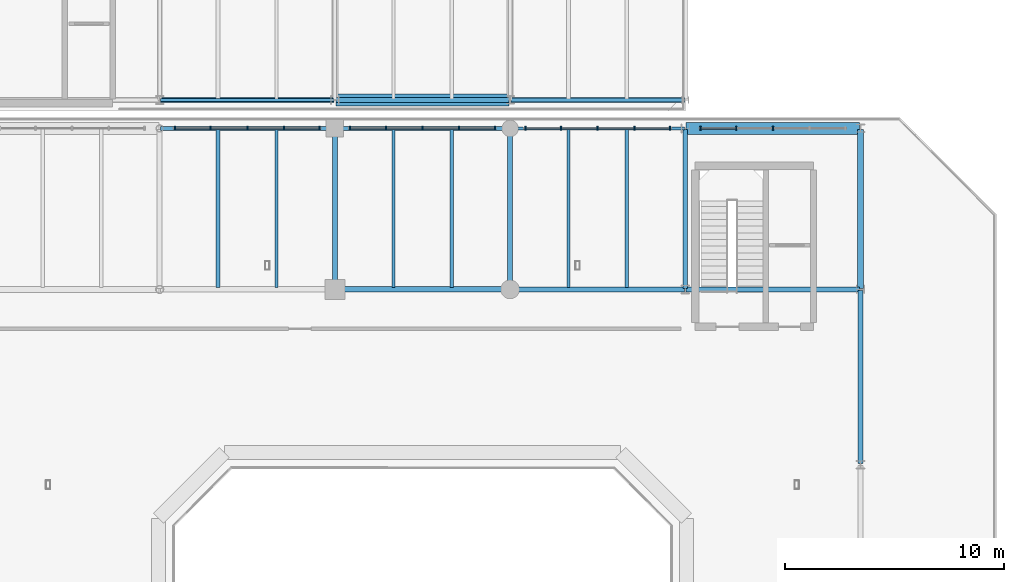
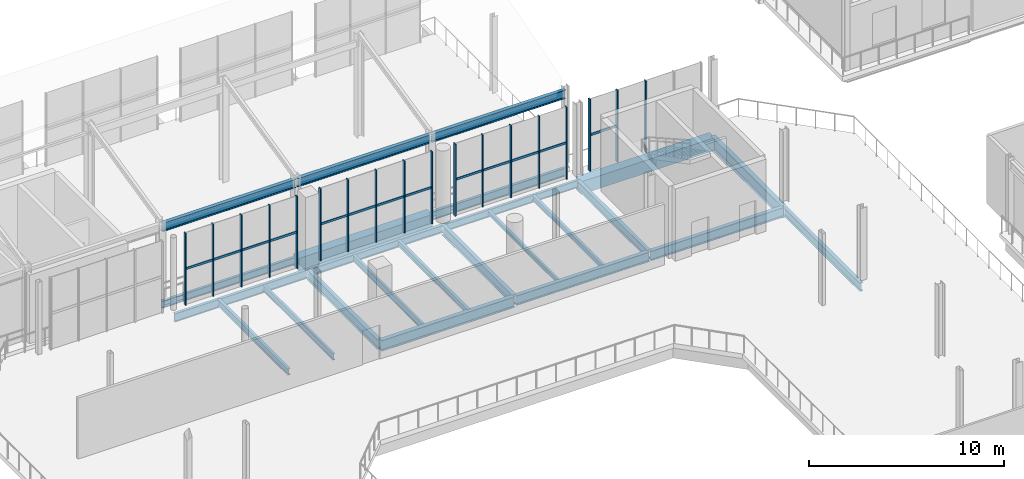
# One storey, part 33 of 70: 31 members, 24 beams, 4 elements without a shape of their own.
"""IFC4 building model written with IfcOpenShell, lengths in metres."""

from ifc_helpers import new_model, si_unit, direction, frame, origin, origin_2d, place, context, subcontext, project, spatial, rectangle, i_section, extrude, material, material_profile, profile_set, type_object, element, aggregate, save


model = new_model("IFC4")

# Units and contexts
model_context = context("Model", 3, precision=1e-05, world=origin(), true_north=direction((0.0, 1.0)))
body_context = subcontext(model_context, "Body", "Model", "MODEL_VIEW")
ifc_project = project(units=[si_unit("LENGTHUNIT", "METRE"), si_unit("AREAUNIT", "SQUARE_METRE"), si_unit("VOLUMEUNIT", "CUBIC_METRE"), si_unit("PLANEANGLEUNIT", "RADIAN"), si_unit("MASSUNIT", "GRAM", prefix="KILO")], contexts=[model_context])

# Site, building, storey
site_placement = place(None, origin())
site = spatial("IfcSite", under=ifc_project, at=site_placement, CompositionType="ELEMENT")
building_placement = place(site_placement, origin())
building = spatial("IfcBuilding", under=site, at=building_placement, Name="Brisemont Oceanarium", CompositionType="ELEMENT")
storey_placement = place(building_placement, frame((0.0, 0.0, 10.199951171875)))
storey = spatial("IfcBuildingStorey", under=building, at=storey_placement, Name="L02", CompositionType="ELEMENT", Elevation=10.199951171875)

# Beams
ifc_material_1 = material(Name="Concrete C40/50", Category="concrete")
ifc_material_profile_1 = material_profile(ifc_material_1, rectangle(XDim=0.550048828125, YDim=0.800048828125, at=origin_2d()), Name="RC-BM-550X800")
ifc_profile_set_1 = profile_set([ifc_material_profile_1], Name="Concrete C40/50")
beam_type_1 = type_object("IfcBeamType", Name="BM-RC550X800", PredefinedType="SPANDREL", material=ifc_profile_set_1)
for number, where, z_axis, x_axis, name in (
    (1, (96.0400390625, 79.35009765625, -0.699951171875), (1.0, 0.0, 0.0), (0.0, 1.0, 0.0), "V1 L02 EW girder"),
    (2, (80.0400390625, 80.64990234375, -0.699951171875), (1.0, 0.0, 0.0), (0.0, 1.0, 0.0), "V7E L02 EW girder"),
):
    element("IfcBeam", number, at=place(storey_placement, frame(where, z_axis=z_axis, x_axis=x_axis)), inside=storey, type_object=beam_type_1, Name=name, PredefinedType="SPANDREL", context=body_context, shape_type="SweptSolid", body=[
        extrude(rectangle(XDim=0.550048828125, YDim=0.800048828125, at=origin_2d()), origin(), (0.0, 0.0, 1.0), 7.919921875),
    ])
ifc_material_2 = material(Name="Structural Steel ASTM A992 Gr.50", Category="steel")
ifc_material_profile_2 = material_profile(ifc_material_2, i_section(OverallWidth=0.14599609375, OverallDepth=0.259033203125, WebThickness=0.006103515625, FlangeThickness=0.009033203125, FilletRadius=0.008056640625, at=origin_2d()), Name="W10X22")
ifc_profile_set_2 = profile_set([ifc_material_profile_2], Name="Structural Steel ASTM A992 Gr.50")
beam_type_2 = type_object("IfcBeamType", Name="BM-W10X22", PredefinedType="LINTEL", material=ifc_profile_set_2)
beam_1_placement = place(storey_placement, frame((90.666748046875, 72.090087890625, -0.429443359375), z_axis=(0.0, 1.0, 0.0), x_axis=(-1.0, 0.0, 0.0)))
element("IfcBeam", 3, at=beam_1_placement, inside=storey, type_object=beam_type_2, Name="V1 L02 secondary floor beam", PredefinedType="LINTEL", context=body_context, shape_type="SweptSolid", body=[
    extrude(i_section(OverallWidth=0.14599609375, OverallDepth=0.259033203125, WebThickness=0.006103515625, FlangeThickness=0.009033203125, FilletRadius=0.008056640625, at=origin_2d()), origin(), (0.0, 0.0, 1.0), 7.219970703125),
])
ifc_material_3 = material(Name="Structural Steel ASTM A992 Gr.50", Category="steel")
ifc_material_profile_3 = material_profile(ifc_material_3, i_section(OverallWidth=0.1650390625, OverallDepth=0.31005859375, WebThickness=0.005859375, FlangeThickness=0.009765625, FilletRadius=0.008056640625, at=origin_2d()), Name="W12X26")
ifc_profile_set_3 = profile_set([ifc_material_profile_3], Name="Structural Steel ASTM A992 Gr.50")
beam_type_3 = type_object("IfcBeamType", Name="BM-W12X26", PredefinedType="JOIST", material=ifc_profile_set_3)
beam_2_placement = place(storey_placement, frame((93.333251953125, 72.090087890625, -0.454833984375), z_axis=(0.0, 1.0, 0.0), x_axis=(-1.0, 0.0, 0.0)))
element("IfcBeam", 4, at=beam_2_placement, inside=storey, type_object=beam_type_3, Name="V1 L02 secondary floor beam", PredefinedType="JOIST", context=body_context, shape_type="SweptSolid", body=[
    extrude(i_section(OverallWidth=0.1650390625, OverallDepth=0.31005859375, WebThickness=0.005859375, FlangeThickness=0.009765625, FilletRadius=0.008056640625, at=origin_2d()), origin(), (0.0, 0.0, 1.0), 7.219970703125),
])
ifc_material_4 = material(Name="Structural Steel ASTM A992 Gr.50", Category="steel")
ifc_material_profile_4 = material_profile(ifc_material_4, i_section(OverallWidth=0.1708984375, OverallDepth=0.35107421875, WebThickness=0.0068359375, FlangeThickness=0.009765625, FilletRadius=0.010009765625, at=origin_2d()), Name="W14X30")
ifc_profile_set_4 = profile_set([ifc_material_profile_4], Name="Structural Steel ASTM A992 Gr.50")
beam_type_4 = type_object("IfcBeamType", Name="BM-W14X30", PredefinedType="JOIST", material=ifc_profile_set_4)
beam_3_placement = place(storey_placement, frame((85.333251953125, 72.090087890625, -0.475341796875), z_axis=(0.0, 1.0, 0.0), x_axis=(-1.0, 0.0, 0.0)))
element("IfcBeam", 5, at=beam_3_placement, inside=storey, type_object=beam_type_4, Name="V1 L02 secondary floor beam", PredefinedType="JOIST", context=body_context, shape_type="SweptSolid", body=[
    extrude(i_section(OverallWidth=0.1708984375, OverallDepth=0.35107421875, WebThickness=0.0068359375, FlangeThickness=0.009765625, FilletRadius=0.010009765625, at=origin_2d()), origin(), (0.0, 0.0, 1.0), 7.219970703125),
])
ifc_material_5 = material(Name="Structural Steel ASTM A992 Gr.50", Category="steel")
ifc_material_profile_5 = material_profile(ifc_material_5, i_section(OverallWidth=0.139892578125, OverallDepth=0.39892578125, WebThickness=0.00634765625, FlangeThickness=0.0087890625, FilletRadius=0.010009765625, at=origin_2d()), Name="W16X26")
ifc_profile_set_5 = profile_set([ifc_material_profile_5], Name="Structural Steel ASTM A992 Gr.50")
beam_type_5 = type_object("IfcBeamType", Name="BM-W16X26", PredefinedType="JOIST", material=ifc_profile_set_5)
for number, where, z_axis, x_axis, name in (
    (6, (77.333251953125, 72.090087890625, -0.49951171875), (0.0, 1.0, 0.0), (-1.0, 0.0, 0.0), "V1 L02 secondary floor beam"),
    (7, (82.666748046875, 72.090087890625, -0.49951171875), (0.0, 1.0, 0.0), (-1.0, 0.0, 0.0), "V1 L02 secondary floor beam"),
):
    element("IfcBeam", number, at=place(storey_placement, frame(where, z_axis=z_axis, x_axis=x_axis)), inside=storey, type_object=beam_type_5, Name=name, PredefinedType="JOIST", context=body_context, shape_type="SweptSolid", body=[
        extrude(i_section(OverallWidth=0.139892578125, OverallDepth=0.39892578125, WebThickness=0.00634765625, FlangeThickness=0.0087890625, FilletRadius=0.010009765625, at=origin_2d()), origin(), (0.0, 0.0, 1.0), 7.219970703125),
    ])
ifc_material_6 = material(Name="Structural Steel ASTM A992 Gr.50", Category="steel")
ifc_material_profile_6 = material_profile(ifc_material_6, i_section(OverallWidth=0.177978515625, OverallDepth=0.404052734375, WebThickness=0.007568359375, FlangeThickness=0.010986328125, FilletRadius=0.010009765625, at=origin_2d()), Name="W16X36")
ifc_profile_set_6 = profile_set([ifc_material_profile_6], Name="Structural Steel ASTM A992 Gr.50")
beam_type_6 = type_object("IfcBeamType", Name="BM-W16X36", PredefinedType="JOIST", material=ifc_profile_set_6)
beam_4_placement = place(storey_placement, frame((74.666748046875, 72.090087890625, -0.501953125), z_axis=(0.0, 1.0, 0.0), x_axis=(-1.0, 0.0, 0.0)))
element("IfcBeam", 8, at=beam_4_placement, inside=storey, type_object=beam_type_6, Name="V1 L02 secondary floor beam", PredefinedType="JOIST", context=body_context, shape_type="SweptSolid", body=[
    extrude(i_section(OverallWidth=0.177978515625, OverallDepth=0.404052734375, WebThickness=0.007568359375, FlangeThickness=0.010986328125, FilletRadius=0.010009765625, at=origin_2d()), origin(), (0.0, 0.0, 1.0), 7.219970703125),
])
ifc_material_7 = material(Name="Structural Steel ASTM A992 Gr.50", Category="steel")
ifc_material_profile_7 = material_profile(ifc_material_7, i_section(OverallWidth=0.154052734375, OverallDepth=0.458984375, WebThickness=0.009033203125, FlangeThickness=0.015380859375, FilletRadius=0.010986328125, at=origin_2d()), Name="W18X46")
ifc_profile_set_7 = profile_set([ifc_material_profile_7], Name="Structural Steel ASTM A992 Gr.50")
beam_type_7 = type_object("IfcBeamType", Name="BM-W18X46", PredefinedType="SPANDREL", material=ifc_profile_set_7)
for number, where, z_axis, x_axis, name in (
    (9, (88.0400390625, 79.35009765625, -0.529541015625), (1.0, 0.0, 0.0), (0.0, 1.0, 0.0), "V1 L02 EW girder"),
    (10, (72.0400390625, 80.64990234375, -0.529541015625), (1.0, 0.0, 0.0), (0.0, 1.0, 0.0), "V7E L02 EW girder"),
):
    element("IfcBeam", number, at=place(storey_placement, frame(where, z_axis=z_axis, x_axis=x_axis)), inside=storey, type_object=beam_type_7, Name=name, PredefinedType="SPANDREL", context=body_context, shape_type="SweptSolid", body=[
        extrude(i_section(OverallWidth=0.154052734375, OverallDepth=0.458984375, WebThickness=0.009033203125, FlangeThickness=0.015380859375, FilletRadius=0.010986328125, at=origin_2d()), origin(), (0.0, 0.0, 1.0), 7.919921875),
    ])
ifc_material_8 = material(Name="Structural Steel ASTM A992 Gr.50", Category="steel")
ifc_material_profile_8 = material_profile(ifc_material_8, i_section(OverallWidth=0.19091796875, OverallDepth=0.4599609375, WebThickness=0.010009765625, FlangeThickness=0.01611328125, FilletRadius=0.010986328125, at=origin_2d()), Name="W18X55")
ifc_profile_set_8 = profile_set([ifc_material_profile_8], Name="Structural Steel ASTM A992 Gr.50")
beam_type_8 = type_object("IfcBeamType", Name="BM-W18X55", PredefinedType="SPANDREL", material=ifc_profile_set_8)
beam_5_placement = place(storey_placement, frame((80.0400390625, 79.35009765625, -0.530029296875), z_axis=(1.0, 0.0, 0.0), x_axis=(0.0, 1.0, 0.0)))
element("IfcBeam", 11, at=beam_5_placement, inside=storey, type_object=beam_type_8, Name="V1 L02 EW girder", PredefinedType="SPANDREL", context=body_context, shape_type="SweptSolid", body=[
    extrude(i_section(OverallWidth=0.19091796875, OverallDepth=0.4599609375, WebThickness=0.010009765625, FlangeThickness=0.01611328125, FilletRadius=0.010986328125, at=origin_2d()), origin(), (0.0, 0.0, 1.0), 7.919921875),
])
ifc_material_9 = material(Name="Structural Steel ASTM A992 Gr.50", Category="steel")
ifc_material_profile_9 = material_profile(ifc_material_9, i_section(OverallWidth=0.166015625, OverallDepth=0.528076171875, WebThickness=0.009765625, FlangeThickness=0.013671875, FilletRadius=0.012939453125, at=origin_2d()), Name="W21X50")
ifc_profile_set_9 = profile_set([ifc_material_profile_9], Name="Structural Steel ASTM A992 Gr.50")
beam_type_9 = type_object("IfcBeamType", Name="BM-W21X50", PredefinedType="SPANDREL", material=ifc_profile_set_9)
for number, where, z_axis, x_axis, name in (
    (12, (72.0400390625, 79.35009765625, -0.56396484375), (1.0, 0.0, 0.0), (0.0, 1.0, 0.0), "V1 L02 EW girder"),
    (13, (88.0400390625, 80.64990234375, -0.56396484375), (1.0, 0.0, 0.0), (0.0, 1.0, 0.0), "V7E L02 EW girder"),
):
    element("IfcBeam", number, at=place(storey_placement, frame(where, z_axis=z_axis, x_axis=x_axis)), inside=storey, type_object=beam_type_9, Name=name, PredefinedType="SPANDREL", context=body_context, shape_type="SweptSolid", body=[
        extrude(i_section(OverallWidth=0.166015625, OverallDepth=0.528076171875, WebThickness=0.009765625, FlangeThickness=0.013671875, FilletRadius=0.012939453125, at=origin_2d()), origin(), (0.0, 0.0, 1.0), 7.919921875),
    ])
ifc_material_10 = material(Name="Structural Steel ASTM A992 Gr.50", Category="steel")
ifc_material_profile_10 = material_profile(ifc_material_10, i_section(OverallWidth=0.2099609375, OverallDepth=0.532958984375, WebThickness=0.01025390625, FlangeThickness=0.015625, FilletRadius=0.012939453125, at=origin_2d()), Name="W21X62")
ifc_profile_set_10 = profile_set([ifc_material_profile_10], Name="Structural Steel ASTM A992 Gr.50")
beam_type_10 = type_object("IfcBeamType", Name="BM-W21X62", PredefinedType="BEAM", material=ifc_profile_set_10)
beam_6_placement = place(storey_placement, frame((96.0, 72.0400390625, -0.56640625), z_axis=(0.0, 1.0, 0.0), x_axis=(-1.0, 0.0, 0.0)))
element("IfcBeam", 14, at=beam_6_placement, inside=storey, type_object=beam_type_10, Name="V1 L02 NS girder", PredefinedType="BEAM", context=body_context, shape_type="SweptSolid", body=[
    extrude(i_section(OverallWidth=0.2099609375, OverallDepth=0.532958984375, WebThickness=0.01025390625, FlangeThickness=0.015625, FilletRadius=0.012939453125, at=origin_2d()), origin(), (0.0, 0.0, 1.0), 7.27001953125),
])
for number, where, z_axis, x_axis, name in (
    (15, (104.0, 64.0400390625, -0.56640625), (0.0, 1.0, 0.0), (-1.0, 0.0, 0.0), "V1 L02 NS girder"),
    (16, (72.0400390625, 80.64990234375, 4.33349609375), (1.0, 0.0, 0.0), (0.0, 1.0, 0.0), "V7E roof eave girder"),
    (17, (80.0400390625, 80.64990234375, 4.33349609375), (1.0, 0.0, 0.0), (0.0, 1.0, 0.0), "V7E roof eave girder"),
    (18, (88.0400390625, 80.64990234375, 4.33349609375), (1.0, 0.0, 0.0), (0.0, 1.0, 0.0), "V7E roof eave girder"),
):
    element("IfcBeam", number, at=place(storey_placement, frame(where, z_axis=z_axis, x_axis=x_axis)), inside=storey, type_object=beam_type_10, Name=name, PredefinedType="BEAM", context=body_context, shape_type="SweptSolid", body=[
        extrude(i_section(OverallWidth=0.2099609375, OverallDepth=0.532958984375, WebThickness=0.01025390625, FlangeThickness=0.015625, FilletRadius=0.012939453125, at=origin_2d()), origin(), (0.0, 0.0, 1.0), 7.919921875),
    ])
ifc_material_11 = material(Name="Structural Steel ASTM A992 Gr.50", Category="steel")
ifc_material_profile_11 = material_profile(ifc_material_11, i_section(OverallWidth=0.22802734375, OverallDepth=0.60205078125, WebThickness=0.010498046875, FlangeThickness=0.014892578125, FilletRadius=0.012939453125, at=origin_2d()), Name="W24X68")
ifc_profile_set_11 = profile_set([ifc_material_profile_11], Name="Structural Steel ASTM A992 Gr.50")
beam_type_11 = type_object("IfcBeamType", Name="BM-W24X68", PredefinedType="BEAM", material=ifc_profile_set_11)
beam_7_placement = place(storey_placement, frame((88.0, 72.0400390625, -0.600830078125), z_axis=(0.0, 1.0, 0.0), x_axis=(-1.0, 0.0, 0.0)))
element("IfcBeam", 19, at=beam_7_placement, inside=storey, type_object=beam_type_11, Name="V1 L02 NS girder", PredefinedType="BEAM", context=body_context, shape_type="SweptSolid", body=[
    extrude(i_section(OverallWidth=0.22802734375, OverallDepth=0.60205078125, WebThickness=0.010498046875, FlangeThickness=0.014892578125, FilletRadius=0.012939453125, at=origin_2d()), origin(), (0.0, 0.0, 1.0), 7.27001953125),
])
ifc_material_12 = material(Name="Structural Steel ASTM A992 Gr.50", Category="steel")
ifc_material_profile_12 = material_profile(ifc_material_12, i_section(OverallWidth=0.22802734375, OverallDepth=0.60791015625, WebThickness=0.01123046875, FlangeThickness=0.017333984375, FilletRadius=0.012939453125, at=origin_2d()), Name="W24X76")
ifc_profile_set_12 = profile_set([ifc_material_profile_12], Name="Structural Steel ASTM A992 Gr.50")
beam_type_12 = type_object("IfcBeamType", Name="BM-W24X76", PredefinedType="BEAM", material=ifc_profile_set_12)
beam_8_placement = place(storey_placement, frame((96.0400390625, 72.0, -0.60400390625), z_axis=(1.0, 0.0, 0.0), x_axis=(0.0, 1.0, 0.0)))
element("IfcBeam", 20, at=beam_8_placement, inside=storey, type_object=beam_type_12, Name="V1 L02 EW girder", PredefinedType="BEAM", context=body_context, shape_type="SweptSolid", body=[
    extrude(i_section(OverallWidth=0.22802734375, OverallDepth=0.60791015625, WebThickness=0.01123046875, FlangeThickness=0.017333984375, FilletRadius=0.012939453125, at=origin_2d()), origin(), (0.0, 0.0, 1.0), 7.919921875),
])
beam_9_placement = place(storey_placement, frame((80.0, 72.0400390625, -0.60400390625), z_axis=(0.0, 1.0, 0.0), x_axis=(-1.0, 0.0, 0.0)))
element("IfcBeam", 21, at=beam_9_placement, inside=storey, type_object=beam_type_12, Name="V1 L02 NS girder", PredefinedType="BEAM", context=body_context, shape_type="SweptSolid", body=[
    extrude(i_section(OverallWidth=0.22802734375, OverallDepth=0.60791015625, WebThickness=0.01123046875, FlangeThickness=0.017333984375, FilletRadius=0.012939453125, at=origin_2d()), origin(), (0.0, 0.0, 1.0), 7.27001953125),
])
ifc_material_13 = material(Name="Structural Steel ASTM A992 Gr.50", Category="steel")
ifc_material_profile_13 = material_profile(ifc_material_13, i_section(OverallWidth=0.22900390625, OverallDepth=0.612060546875, WebThickness=0.011962890625, FlangeThickness=0.01953125, FilletRadius=0.012939453125, at=origin_2d()), Name="W24X84")
ifc_profile_set_13 = profile_set([ifc_material_profile_13], Name="Structural Steel ASTM A992 Gr.50")
beam_type_13 = type_object("IfcBeamType", Name="BM-W24X84", PredefinedType="BEAM", material=ifc_profile_set_13)
beam_10_placement = place(storey_placement, frame((88.0400390625, 72.0, -0.60595703125), z_axis=(1.0, 0.0, 0.0), x_axis=(0.0, 1.0, 0.0)))
element("IfcBeam", 22, at=beam_10_placement, inside=storey, type_object=beam_type_13, Name="V1 L02 EW girder", PredefinedType="BEAM", context=body_context, shape_type="SweptSolid", body=[
    extrude(i_section(OverallWidth=0.22900390625, OverallDepth=0.612060546875, WebThickness=0.011962890625, FlangeThickness=0.01953125, FilletRadius=0.012939453125, at=origin_2d()), origin(), (0.0, 0.0, 1.0), 7.919921875),
])
ifc_material_14 = material(Name="Structural Steel ASTM A992 Gr.50", Category="steel")
ifc_material_profile_14 = material_profile(ifc_material_14, i_section(OverallWidth=0.2529296875, OverallDepth=0.677978515625, WebThickness=0.01171875, FlangeThickness=0.016357421875, FilletRadius=0.014892578125, at=origin_2d()), Name="W27X84")
ifc_profile_set_14 = profile_set([ifc_material_profile_14], Name="Structural Steel ASTM A992 Gr.50")
beam_type_14 = type_object("IfcBeamType", Name="BM-W27X84", PredefinedType="BEAM", material=ifc_profile_set_14)
beam_11_placement = place(storey_placement, frame((80.0400390625, 72.0, -0.638916015625), z_axis=(1.0, 0.0, 0.0), x_axis=(0.0, 1.0, 0.0)))
element("IfcBeam", 23, at=beam_11_placement, inside=storey, type_object=beam_type_14, Name="V1 L02 EW girder", PredefinedType="BEAM", context=body_context, shape_type="SweptSolid", body=[
    extrude(i_section(OverallWidth=0.2529296875, OverallDepth=0.677978515625, WebThickness=0.01171875, FlangeThickness=0.016357421875, FilletRadius=0.014892578125, at=origin_2d()), origin(), (0.0, 0.0, 1.0), 7.919921875),
])
ifc_material_15 = material(Name="Structural Steel ASTM A992 Gr.50", Category="steel")
ifc_material_profile_15 = material_profile(ifc_material_15, i_section(OverallWidth=0.26708984375, OverallDepth=0.761962890625, WebThickness=0.014404296875, FlangeThickness=0.021484375, FilletRadius=0.01611328125, at=origin_2d()), Name="W30X116")
ifc_profile_set_15 = profile_set([ifc_material_profile_15], Name="Structural Steel ASTM A992 Gr.50")
beam_type_15 = type_object("IfcBeamType", Name="BM-W30X116", PredefinedType="BEAM", material=ifc_profile_set_15)
beam_12_placement = place(storey_placement, frame((104.0, 72.0400390625, -0.680908203125), z_axis=(0.0, 1.0, 0.0), x_axis=(-1.0, 0.0, 0.0)))
element("IfcBeam", 24, at=beam_12_placement, inside=storey, type_object=beam_type_15, Name="V1 L02 NS girder", PredefinedType="BEAM", context=body_context, shape_type="SweptSolid", body=[
    extrude(i_section(OverallWidth=0.26708984375, OverallDepth=0.761962890625, WebThickness=0.014404296875, FlangeThickness=0.021484375, FilletRadius=0.01611328125, at=origin_2d()), origin(), (0.0, 0.0, 1.0), 7.27001953125),
])

# Curtain wall, members
ifc_material_16 = material(Name="Anodized Extruded Aluminum 6063-T6", Category="aluminium")
curtain_wall_type = type_object("IfcCurtainWallType", Name="CW-POR-69X44", PredefinedType="NOTDEFINED", material=ifc_material_16)
curtain_wall_1_placement = place(storey_placement, origin())
curtain_wall_1 = element("IfcCurtainWall", 25, at=curtain_wall_1_placement, inside=storey, type_object=curtain_wall_type, Name="CW-20 curtain wall CW-V1-N-L02-02", PredefinedType="NOTDEFINED")
ifc_material_17 = material(Name="Anodized Extruded Aluminum 6063-T6", Category="aluminium")
ifc_material_profile_16 = material_profile(ifc_material_17, rectangle(XDim=0.06494140625, YDim=0.179931640625, at=origin_2d()), Name="CWM-65X180")
ifc_profile_set_16 = profile_set([ifc_material_profile_16], Name="Anodized Extruded Aluminum 6063-T6")
member_type_1 = type_object("IfcMemberType", Name="MEM-CWM-65", PredefinedType="MULLION", material=ifc_profile_set_16)
member_1_placement = place(storey_placement, frame((72.695068359375, 79.35009765625, 0.0), z_axis=(0.0, 0.0, 1.0), x_axis=(1.0, 0.0, 0.0)))
member_1 = element("IfcMember", 26, at=member_1_placement, type_object=member_type_1, Name="CW-V1-N-L02-02 mullion 1", PredefinedType="MULLION", context=body_context, shape_type="SweptSolid", body=[
    extrude(rectangle(XDim=0.06494140625, YDim=0.179931640625, at=origin_2d()), origin(), (0.0, 0.0, 1.0), 4.52001953125),
])
member_2_placement = place(storey_placement, frame((74.324951171875, 79.35009765625, 0.0), z_axis=(0.0, 0.0, 1.0), x_axis=(1.0, 0.0, 0.0)))
member_2 = element("IfcMember", 27, at=member_2_placement, type_object=member_type_1, Name="CW-V1-N-L02-02 mullion 2", PredefinedType="MULLION", context=body_context, shape_type="SweptSolid", body=[
    extrude(rectangle(XDim=0.06494140625, YDim=0.179931640625, at=origin_2d()), origin(), (0.0, 0.0, 1.0), 4.52001953125),
])
member_3_placement = place(storey_placement, frame((76.0, 79.35009765625, 0.0), z_axis=(0.0, 0.0, 1.0), x_axis=(1.0, 0.0, 0.0)))
member_3 = element("IfcMember", 28, at=member_3_placement, type_object=member_type_1, Name="CW-V1-N-L02-02 mullion 3", PredefinedType="MULLION", context=body_context, shape_type="SweptSolid", body=[
    extrude(rectangle(XDim=0.06494140625, YDim=0.179931640625, at=origin_2d()), origin(), (0.0, 0.0, 1.0), 4.52001953125),
])
member_4_placement = place(storey_placement, frame((77.675048828125, 79.35009765625, 0.0), z_axis=(0.0, 0.0, 1.0), x_axis=(1.0, 0.0, 0.0)))
member_4 = element("IfcMember", 29, at=member_4_placement, type_object=member_type_1, Name="CW-V1-N-L02-02 mullion 4", PredefinedType="MULLION", context=body_context, shape_type="SweptSolid", body=[
    extrude(rectangle(XDim=0.06494140625, YDim=0.179931640625, at=origin_2d()), origin(), (0.0, 0.0, 1.0), 4.52001953125),
])
member_5_placement = place(storey_placement, frame((79.304931640625, 79.35009765625, 0.0), z_axis=(0.0, 0.0, 1.0), x_axis=(1.0, 0.0, 0.0)))
member_5 = element("IfcMember", 30, at=member_5_placement, type_object=member_type_1, Name="CW-V1-N-L02-02 mullion 5", PredefinedType="MULLION", context=body_context, shape_type="SweptSolid", body=[
    extrude(rectangle(XDim=0.06494140625, YDim=0.179931640625, at=origin_2d()), origin(), (0.0, 0.0, 1.0), 4.52001953125),
])

curtain_wall_2_placement = place(storey_placement, origin())
curtain_wall_2 = element("IfcCurtainWall", 31, at=curtain_wall_2_placement, inside=storey, type_object=curtain_wall_type, Name="CW-20 curtain wall CW-V1-N-L02-03", PredefinedType="NOTDEFINED")
member_6_placement = place(storey_placement, frame((80.695068359375, 79.35009765625, 0.0), z_axis=(0.0, 0.0, 1.0), x_axis=(1.0, 0.0, 0.0)))
member_6 = element("IfcMember", 32, at=member_6_placement, type_object=member_type_1, Name="CW-V1-N-L02-03 mullion 1", PredefinedType="MULLION", context=body_context, shape_type="SweptSolid", body=[
    extrude(rectangle(XDim=0.06494140625, YDim=0.179931640625, at=origin_2d()), origin(), (0.0, 0.0, 1.0), 4.52001953125),
])
member_7_placement = place(storey_placement, frame((82.324951171875, 79.35009765625, 0.0), z_axis=(0.0, 0.0, 1.0), x_axis=(1.0, 0.0, 0.0)))
member_7 = element("IfcMember", 33, at=member_7_placement, type_object=member_type_1, Name="CW-V1-N-L02-03 mullion 2", PredefinedType="MULLION", context=body_context, shape_type="SweptSolid", body=[
    extrude(rectangle(XDim=0.06494140625, YDim=0.179931640625, at=origin_2d()), origin(), (0.0, 0.0, 1.0), 4.52001953125),
])
member_8_placement = place(storey_placement, frame((84.0, 79.35009765625, 0.0), z_axis=(0.0, 0.0, 1.0), x_axis=(1.0, 0.0, 0.0)))
member_8 = element("IfcMember", 34, at=member_8_placement, type_object=member_type_1, Name="CW-V1-N-L02-03 mullion 3", PredefinedType="MULLION", context=body_context, shape_type="SweptSolid", body=[
    extrude(rectangle(XDim=0.06494140625, YDim=0.179931640625, at=origin_2d()), origin(), (0.0, 0.0, 1.0), 4.52001953125),
])
member_9_placement = place(storey_placement, frame((85.675048828125, 79.35009765625, 0.0), z_axis=(0.0, 0.0, 1.0), x_axis=(1.0, 0.0, 0.0)))
member_9 = element("IfcMember", 35, at=member_9_placement, type_object=member_type_1, Name="CW-V1-N-L02-03 mullion 4", PredefinedType="MULLION", context=body_context, shape_type="SweptSolid", body=[
    extrude(rectangle(XDim=0.06494140625, YDim=0.179931640625, at=origin_2d()), origin(), (0.0, 0.0, 1.0), 4.52001953125),
])
member_10_placement = place(storey_placement, frame((87.304931640625, 79.35009765625, 0.0), z_axis=(0.0, 0.0, 1.0), x_axis=(1.0, 0.0, 0.0)))
member_10 = element("IfcMember", 36, at=member_10_placement, type_object=member_type_1, Name="CW-V1-N-L02-03 mullion 5", PredefinedType="MULLION", context=body_context, shape_type="SweptSolid", body=[
    extrude(rectangle(XDim=0.06494140625, YDim=0.179931640625, at=origin_2d()), origin(), (0.0, 0.0, 1.0), 4.52001953125),
])

curtain_wall_3_placement = place(storey_placement, origin())
curtain_wall_3 = element("IfcCurtainWall", 37, at=curtain_wall_3_placement, inside=storey, type_object=curtain_wall_type, Name="CW-20 curtain wall CW-V1-N-L02-04", PredefinedType="NOTDEFINED")
member_11_placement = place(storey_placement, frame((88.695068359375, 79.35009765625, 0.0), z_axis=(0.0, 0.0, 1.0), x_axis=(1.0, 0.0, 0.0)))
member_11 = element("IfcMember", 38, at=member_11_placement, type_object=member_type_1, Name="CW-V1-N-L02-04 mullion 1", PredefinedType="MULLION", context=body_context, shape_type="SweptSolid", body=[
    extrude(rectangle(XDim=0.06494140625, YDim=0.179931640625, at=origin_2d()), origin(), (0.0, 0.0, 1.0), 4.52001953125),
])
member_12_placement = place(storey_placement, frame((90.324951171875, 79.35009765625, 0.0), z_axis=(0.0, 0.0, 1.0), x_axis=(1.0, 0.0, 0.0)))
member_12 = element("IfcMember", 39, at=member_12_placement, type_object=member_type_1, Name="CW-V1-N-L02-04 mullion 2", PredefinedType="MULLION", context=body_context, shape_type="SweptSolid", body=[
    extrude(rectangle(XDim=0.06494140625, YDim=0.179931640625, at=origin_2d()), origin(), (0.0, 0.0, 1.0), 4.52001953125),
])
member_13_placement = place(storey_placement, frame((92.0, 79.35009765625, 0.0), z_axis=(0.0, 0.0, 1.0), x_axis=(1.0, 0.0, 0.0)))
member_13 = element("IfcMember", 40, at=member_13_placement, type_object=member_type_1, Name="CW-V1-N-L02-04 mullion 3", PredefinedType="MULLION", context=body_context, shape_type="SweptSolid", body=[
    extrude(rectangle(XDim=0.06494140625, YDim=0.179931640625, at=origin_2d()), origin(), (0.0, 0.0, 1.0), 4.52001953125),
])
member_14_placement = place(storey_placement, frame((93.675048828125, 79.35009765625, 0.0), z_axis=(0.0, 0.0, 1.0), x_axis=(1.0, 0.0, 0.0)))
member_14 = element("IfcMember", 41, at=member_14_placement, type_object=member_type_1, Name="CW-V1-N-L02-04 mullion 4", PredefinedType="MULLION", context=body_context, shape_type="SweptSolid", body=[
    extrude(rectangle(XDim=0.06494140625, YDim=0.179931640625, at=origin_2d()), origin(), (0.0, 0.0, 1.0), 4.52001953125),
])
member_15_placement = place(storey_placement, frame((95.304931640625, 79.35009765625, 0.0), z_axis=(0.0, 0.0, 1.0), x_axis=(1.0, 0.0, 0.0)))
member_15 = element("IfcMember", 42, at=member_15_placement, type_object=member_type_1, Name="CW-V1-N-L02-04 mullion 5", PredefinedType="MULLION", context=body_context, shape_type="SweptSolid", body=[
    extrude(rectangle(XDim=0.06494140625, YDim=0.179931640625, at=origin_2d()), origin(), (0.0, 0.0, 1.0), 4.52001953125),
])

curtain_wall_4_placement = place(storey_placement, origin())
curtain_wall_4 = element("IfcCurtainWall", 43, at=curtain_wall_4_placement, inside=storey, type_object=curtain_wall_type, Name="CW-20 curtain wall CW-V1-N-L02-05", PredefinedType="NOTDEFINED")
member_16_placement = place(storey_placement, frame((96.695068359375, 79.35009765625, 0.0), z_axis=(0.0, 0.0, 1.0), x_axis=(1.0, 0.0, 0.0)))
member_16 = element("IfcMember", 44, at=member_16_placement, type_object=member_type_1, Name="CW-V1-N-L02-05 mullion 1", PredefinedType="MULLION", context=body_context, shape_type="SweptSolid", body=[
    extrude(rectangle(XDim=0.06494140625, YDim=0.179931640625, at=origin_2d()), origin(), (0.0, 0.0, 1.0), 4.52001953125),
])
member_17_placement = place(storey_placement, frame((98.324951171875, 79.35009765625, 0.0), z_axis=(0.0, 0.0, 1.0), x_axis=(1.0, 0.0, 0.0)))
member_17 = element("IfcMember", 45, at=member_17_placement, type_object=member_type_1, Name="CW-V1-N-L02-05 mullion 2", PredefinedType="MULLION", context=body_context, shape_type="SweptSolid", body=[
    extrude(rectangle(XDim=0.06494140625, YDim=0.179931640625, at=origin_2d()), origin(), (0.0, 0.0, 1.0), 4.52001953125),
])
member_18_placement = place(storey_placement, frame((100.0, 79.35009765625, 0.0), z_axis=(0.0, 0.0, 1.0), x_axis=(1.0, 0.0, 0.0)))
member_18 = element("IfcMember", 46, at=member_18_placement, type_object=member_type_1, Name="CW-V1-N-L02-05 mullion 3", PredefinedType="MULLION", context=body_context, shape_type="SweptSolid", body=[
    extrude(rectangle(XDim=0.06494140625, YDim=0.179931640625, at=origin_2d()), origin(), (0.0, 0.0, 1.0), 4.52001953125),
])

# Member
ifc_material_18 = material(Name="Anodized Extruded Aluminum 6063-T6", Category="aluminium")
ifc_material_profile_17 = material_profile(ifc_material_18, rectangle(XDim=0.06494140625, YDim=0.139892578125, at=origin_2d()), Name="CWT-65X140")
ifc_profile_set_17 = profile_set([ifc_material_profile_17], Name="Anodized Extruded Aluminum 6063-T6")
member_type_2 = type_object("IfcMemberType", Name="MEM-CWT-65", PredefinedType="USERDEFINED", material=ifc_profile_set_17)
member_19_placement = place(storey_placement, frame((72.6650390625, 79.35009765625, 2.260009765625), z_axis=(1.0, 0.0, 0.0), x_axis=(0.0, 1.0, 0.0)))
member_19 = element("IfcMember", 47, at=member_19_placement, type_object=member_type_2, Name="CW-V1-N-L02-02 transom 1.1", ObjectType="TRANSOM", PredefinedType="USERDEFINED", context=body_context, shape_type="SweptSolid", body=[
    extrude(rectangle(XDim=0.06494140625, YDim=0.139892578125, at=origin_2d()), origin(), (0.0, 0.0, 1.0), 1.64501953125),
])

member_20_placement = place(storey_placement, frame((74.340087890625, 79.35009765625, 2.260009765625), z_axis=(1.0, 0.0, 0.0), x_axis=(0.0, 1.0, 0.0)))
member_20 = element("IfcMember", 48, at=member_20_placement, type_object=member_type_2, Name="CW-V1-N-L02-02 transom 2.1", ObjectType="TRANSOM", PredefinedType="USERDEFINED", context=body_context, shape_type="SweptSolid", body=[
    extrude(rectangle(XDim=0.06494140625, YDim=0.139892578125, at=origin_2d()), origin(), (0.0, 0.0, 1.0), 1.64501953125),
])

member_21_placement = place(storey_placement, frame((76.014892578125, 79.35009765625, 2.260009765625), z_axis=(1.0, 0.0, 0.0), x_axis=(0.0, 1.0, 0.0)))
member_21 = element("IfcMember", 49, at=member_21_placement, type_object=member_type_2, Name="CW-V1-N-L02-02 transom 3.1", ObjectType="TRANSOM", PredefinedType="USERDEFINED", context=body_context, shape_type="SweptSolid", body=[
    extrude(rectangle(XDim=0.06494140625, YDim=0.139892578125, at=origin_2d()), origin(), (0.0, 0.0, 1.0), 1.64501953125),
])

member_22_placement = place(storey_placement, frame((77.68994140625, 79.35009765625, 2.260009765625), z_axis=(1.0, 0.0, 0.0), x_axis=(0.0, 1.0, 0.0)))
member_22 = element("IfcMember", 50, at=member_22_placement, type_object=member_type_2, Name="CW-V1-N-L02-02 transom 4.1", ObjectType="TRANSOM", PredefinedType="USERDEFINED", context=body_context, shape_type="SweptSolid", body=[
    extrude(rectangle(XDim=0.06494140625, YDim=0.139892578125, at=origin_2d()), origin(), (0.0, 0.0, 1.0), 1.64501953125),
])

aggregate(curtain_wall_1, [member_1, member_2, member_3, member_4, member_5, member_19, member_20, member_21, member_22])

member_23_placement = place(storey_placement, frame((80.6650390625, 79.35009765625, 2.260009765625), z_axis=(1.0, 0.0, 0.0), x_axis=(0.0, 1.0, 0.0)))
member_23 = element("IfcMember", 51, at=member_23_placement, type_object=member_type_2, Name="CW-V1-N-L02-03 transom 1.1", ObjectType="TRANSOM", PredefinedType="USERDEFINED", context=body_context, shape_type="SweptSolid", body=[
    extrude(rectangle(XDim=0.06494140625, YDim=0.139892578125, at=origin_2d()), origin(), (0.0, 0.0, 1.0), 1.64501953125),
])

member_24_placement = place(storey_placement, frame((82.340087890625, 79.35009765625, 2.260009765625), z_axis=(1.0, 0.0, 0.0), x_axis=(0.0, 1.0, 0.0)))
member_24 = element("IfcMember", 52, at=member_24_placement, type_object=member_type_2, Name="CW-V1-N-L02-03 transom 2.1", ObjectType="TRANSOM", PredefinedType="USERDEFINED", context=body_context, shape_type="SweptSolid", body=[
    extrude(rectangle(XDim=0.06494140625, YDim=0.139892578125, at=origin_2d()), origin(), (0.0, 0.0, 1.0), 1.64501953125),
])

member_25_placement = place(storey_placement, frame((84.014892578125, 79.35009765625, 2.260009765625), z_axis=(1.0, 0.0, 0.0), x_axis=(0.0, 1.0, 0.0)))
member_25 = element("IfcMember", 53, at=member_25_placement, type_object=member_type_2, Name="CW-V1-N-L02-03 transom 3.1", ObjectType="TRANSOM", PredefinedType="USERDEFINED", context=body_context, shape_type="SweptSolid", body=[
    extrude(rectangle(XDim=0.06494140625, YDim=0.139892578125, at=origin_2d()), origin(), (0.0, 0.0, 1.0), 1.64501953125),
])

member_26_placement = place(storey_placement, frame((85.68994140625, 79.35009765625, 2.260009765625), z_axis=(1.0, 0.0, 0.0), x_axis=(0.0, 1.0, 0.0)))
member_26 = element("IfcMember", 54, at=member_26_placement, type_object=member_type_2, Name="CW-V1-N-L02-03 transom 4.1", ObjectType="TRANSOM", PredefinedType="USERDEFINED", context=body_context, shape_type="SweptSolid", body=[
    extrude(rectangle(XDim=0.06494140625, YDim=0.139892578125, at=origin_2d()), origin(), (0.0, 0.0, 1.0), 1.64501953125),
])

aggregate(curtain_wall_2, [member_6, member_7, member_8, member_9, member_10, member_23, member_24, member_25, member_26])

member_27_placement = place(storey_placement, frame((88.6650390625, 79.35009765625, 2.260009765625), z_axis=(1.0, 0.0, 0.0), x_axis=(0.0, 1.0, 0.0)))
member_27 = element("IfcMember", 55, at=member_27_placement, type_object=member_type_2, Name="CW-V1-N-L02-04 transom 1.1", ObjectType="TRANSOM", PredefinedType="USERDEFINED", context=body_context, shape_type="SweptSolid", body=[
    extrude(rectangle(XDim=0.06494140625, YDim=0.139892578125, at=origin_2d()), origin(), (0.0, 0.0, 1.0), 1.64501953125),
])

member_28_placement = place(storey_placement, frame((90.340087890625, 79.35009765625, 2.260009765625), z_axis=(1.0, 0.0, 0.0), x_axis=(0.0, 1.0, 0.0)))
member_28 = element("IfcMember", 56, at=member_28_placement, type_object=member_type_2, Name="CW-V1-N-L02-04 transom 2.1", ObjectType="TRANSOM", PredefinedType="USERDEFINED", context=body_context, shape_type="SweptSolid", body=[
    extrude(rectangle(XDim=0.06494140625, YDim=0.139892578125, at=origin_2d()), origin(), (0.0, 0.0, 1.0), 1.64501953125),
])

member_29_placement = place(storey_placement, frame((92.014892578125, 79.35009765625, 2.260009765625), z_axis=(1.0, 0.0, 0.0), x_axis=(0.0, 1.0, 0.0)))
member_29 = element("IfcMember", 57, at=member_29_placement, type_object=member_type_2, Name="CW-V1-N-L02-04 transom 3.1", ObjectType="TRANSOM", PredefinedType="USERDEFINED", context=body_context, shape_type="SweptSolid", body=[
    extrude(rectangle(XDim=0.06494140625, YDim=0.139892578125, at=origin_2d()), origin(), (0.0, 0.0, 1.0), 1.64501953125),
])

member_30_placement = place(storey_placement, frame((93.68994140625, 79.35009765625, 2.260009765625), z_axis=(1.0, 0.0, 0.0), x_axis=(0.0, 1.0, 0.0)))
member_30 = element("IfcMember", 58, at=member_30_placement, type_object=member_type_2, Name="CW-V1-N-L02-04 transom 4.1", ObjectType="TRANSOM", PredefinedType="USERDEFINED", context=body_context, shape_type="SweptSolid", body=[
    extrude(rectangle(XDim=0.06494140625, YDim=0.139892578125, at=origin_2d()), origin(), (0.0, 0.0, 1.0), 1.64501953125),
])

aggregate(curtain_wall_3, [member_11, member_12, member_13, member_14, member_15, member_27, member_28, member_29, member_30])

member_31_placement = place(storey_placement, frame((96.6650390625, 79.35009765625, 2.260009765625), z_axis=(1.0, 0.0, 0.0), x_axis=(0.0, 1.0, 0.0)))
member_31 = element("IfcMember", 59, at=member_31_placement, type_object=member_type_2, Name="CW-V1-N-L02-05 transom 1.1", ObjectType="TRANSOM", PredefinedType="USERDEFINED", context=body_context, shape_type="SweptSolid", body=[
    extrude(rectangle(XDim=0.06494140625, YDim=0.139892578125, at=origin_2d()), origin(), (0.0, 0.0, 1.0), 1.64501953125),
])

aggregate(curtain_wall_4, [member_16, member_17, member_18, member_31])

save(model, "model.ifc")
